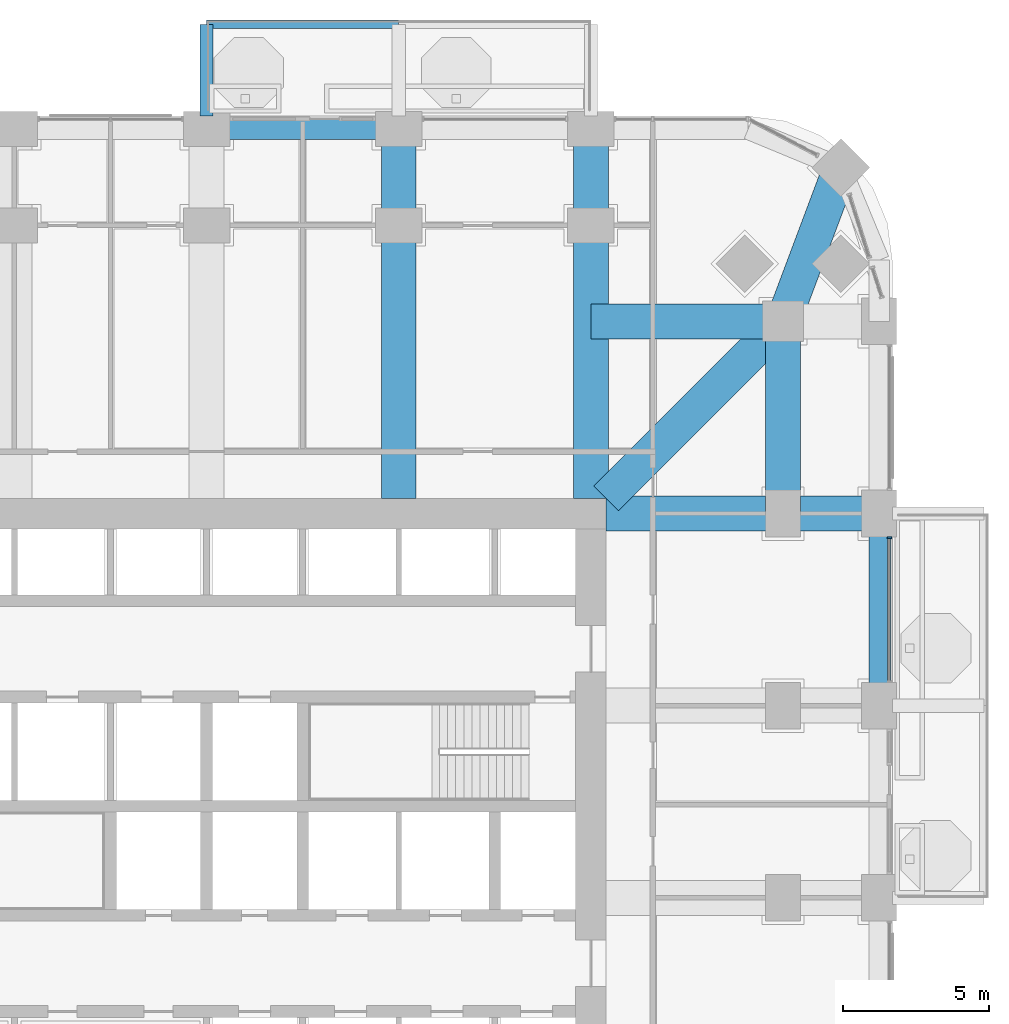
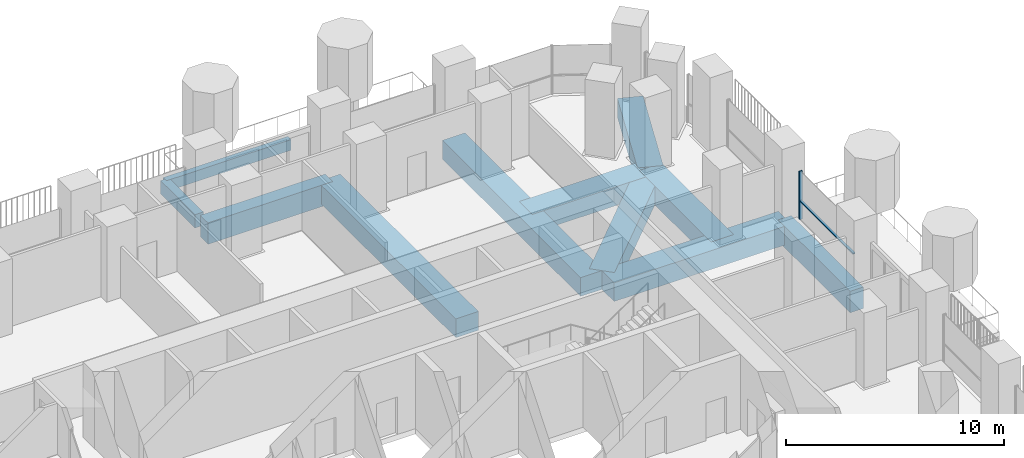
# One storey, part 7 of 21: 11 beams, 2 members, 1 element without a shape of its own.
"""IFC4 building model written with IfcOpenShell, lengths in metres."""

import ifcopenshell
import ifcopenshell.guid

model = None  # the IFC model being written
_history = None  # IfcOwnerHistory: only IFC2X3 demands one
_inside = {}  # id of a spatial element -> (the spatial element, [elements in it])
_under = {}  # id of a project, library or spatial element -> (it, [spatial elements below it])
_declared = {}  # id of a project -> (the project, [libraries it declares])
_typed = {}  # id of a type object -> (the type object, [elements of that type])
_made_of = {}  # id of a material, layer set ... -> (it, [elements and type objects made of it])


def new_model(schema):
    """Start an empty IFC model of exactly this schema.

    Asked for "IFC4X3", IfcOpenShell would pick the latest addendum, in which some entities
    have other attributes; the version numbers below select the first issue.
    IFC2X3 requires an IfcOwnerHistory on every rooted entity: one is made here for all.
    """
    global model, _history
    if schema == "IFC4X3":
        model = ifcopenshell.file(schema_version=(4, 3, 0, 0))
    else:
        model = ifcopenshell.file(schema=schema)
    _inside.clear()
    _under.clear()
    _declared.clear()
    _typed.clear()
    _made_of.clear()
    _history = None
    if model.schema == "IFC2X3":
        org = make("IfcOrganization", Name="unknown")
        user = make(
            "IfcPersonAndOrganization",
            ThePerson=make("IfcPerson", FamilyName="unknown"),
            TheOrganization=org,
        )
        app = make(
            "IfcApplication",
            ApplicationDeveloper=org,
            Version="unknown",
            ApplicationFullName="unknown",
            ApplicationIdentifier="unknown",
        )
        _history = make(
            "IfcOwnerHistory",
            OwningUser=user,
            OwningApplication=app,
            ChangeAction="ADDED",
            CreationDate=0,
        )
    return model


def make(cls, **values):
    """One entity of the class cls with the attributes given. An attribute that is None is left unset."""
    return model.create_entity(
        cls, **{name: value for name, value in values.items() if value is not None}
    )


def rooted(cls, **values):
    """An entity with a GlobalId (a new one), such as an element, a storey or a relation."""
    return make(cls, GlobalId=ifcopenshell.guid.new(), OwnerHistory=_history, **values)


def si_unit(unit_type, name, prefix=None):
    """IfcSIUnit, for example si_unit("LENGTHUNIT", "METRE", prefix="MILLI")."""
    return make("IfcSIUnit", UnitType=unit_type, Prefix=prefix, Name=name)


def assignment(units):
    """IfcUnitAssignment: the units of a project."""
    return None if units is None else make("IfcUnitAssignment", Units=units)


def point(xyz):
    """IfcCartesianPoint."""
    return None if xyz is None else make("IfcCartesianPoint", Coordinates=xyz)


def direction(xyz):
    """IfcDirection."""
    return None if xyz is None else make("IfcDirection", DirectionRatios=xyz)


def frame(location, z_axis=None, x_axis=None):
    """IfcAxis2Placement3D, a coordinate frame: its origin and axes. An axis left out is left unset."""
    return make(
        "IfcAxis2Placement3D",
        Location=point(location),
        Axis=direction(z_axis),
        RefDirection=direction(x_axis),
    )


def frame_2d(location, x_axis=None):
    """IfcAxis2Placement2D, a coordinate frame in the plane: its origin and x axis."""
    return make(
        "IfcAxis2Placement2D", Location=point(location), RefDirection=direction(x_axis)
    )


def origin():
    """The frame at (0, 0, 0) with its axes left unset."""
    return frame((0.0, 0.0, 0.0))


def origin_2d():
    """The frame at (0, 0) in the plane with its x axis left unset."""
    return frame_2d((0.0, 0.0))


def place(relative_to, where):
    """IfcLocalPlacement: puts the frame where relative to a parent placement (None: the world)."""
    return make(
        "IfcLocalPlacement", PlacementRelTo=relative_to, RelativePlacement=where
    )


def context(
    kind, dimensions, precision=None, world=None, true_north=None, identifier=None
):
    """IfcGeometricRepresentationContext, for example the 3D "Model" context."""
    return make(
        "IfcGeometricRepresentationContext",
        ContextIdentifier=identifier,
        ContextType=kind,
        CoordinateSpaceDimension=dimensions,
        Precision=precision,
        WorldCoordinateSystem=world,
        TrueNorth=true_north,
    )


def subcontext(parent, identifier, kind, view, scale=None):
    """IfcGeometricRepresentationSubContext, for example "Body" below "Model"."""
    return make(
        "IfcGeometricRepresentationSubContext",
        ContextIdentifier=identifier,
        ContextType=kind,
        ParentContext=parent,
        TargetScale=scale,
        TargetView=view,
    )


def project(units=None, contexts=None):
    """IfcProject with its units and contexts."""
    return rooted(
        "IfcProject",
        Name="project",
        RepresentationContexts=contexts,
        UnitsInContext=assignment(units),
    )


def spatial(cls, under=None, at=None, **own):
    """A site, building, storey or space (cls), placed at a placement, below another one or the project."""
    s = rooted(cls, ObjectPlacement=at, **own)
    if under is not None:
        _under.setdefault(under.id(), (under, []))[1].append(s)
    return s


def profile(cls, at=None, kind="AREA", **sizes):
    """A parametric profile (cls). Its sizes go by their IFC names, for example OverallWidth=200.0."""
    return make(cls, ProfileType=kind, Position=at, **sizes)


def rectangle(**sizes):
    """IfcRectangleProfileDef."""
    return profile("IfcRectangleProfileDef", **sizes)


def extrude(swept, where, along, depth):
    """IfcExtrudedAreaSolid: the profile swept, set in the frame where, extruded along a direction by depth."""
    return make(
        "IfcExtrudedAreaSolid",
        SweptArea=swept,
        Position=where,
        ExtrudedDirection=direction(along),
        Depth=depth,
    )


def shape(context_of_items, identifier, shape_type, items):
    """IfcShapeRepresentation: the items that make up one representation, for example the "Body"."""
    return make(
        "IfcShapeRepresentation",
        ContextOfItems=context_of_items,
        RepresentationIdentifier=identifier,
        RepresentationType=shape_type,
        Items=items,
    )


def material(Name=None, Category=None):
    """IfcMaterial."""
    return make("IfcMaterial", Name=Name, Category=Category)


def material_profile(
    of_material, cross_section, Name=None, Category=None, Priority=None
):
    """IfcMaterialProfile: a cross section and its material."""
    return make(
        "IfcMaterialProfile",
        Name=Name,
        Material=of_material,
        Profile=cross_section,
        Priority=Priority,
        Category=Category,
    )


def profile_set(profiles, Name=None, composite=None):
    """IfcMaterialProfileSet."""
    return make(
        "IfcMaterialProfileSet",
        Name=Name,
        MaterialProfiles=profiles,
        CompositeProfile=composite,
    )


def made_of(thing, what):
    """Note that an element or type object is made of a material, layer set ...; save() writes the relation."""
    if what is not None:
        _made_of.setdefault(what.id(), (what, []))[1].append(thing)
    return thing


def type_object(cls, material=None, **own):
    """A type object (cls), such as IfcWallType, which elements share."""
    return made_of(rooted(cls, **own), material)


def element(
    cls,
    number,
    at=None,
    inside=None,
    cuts=None,
    type_object=None,
    material=None,
    context=None,
    identifier="Body",
    shape_type=None,
    held_by="IfcProductDefinitionShape",
    body=None,
    shapes=None,
    **own,
):
    """One element of the class cls, such as IfcWall. Its Tag is "e" and its number.

    at: its placement. inside: the storey or other place that contains it. cuts: it is an
    opening in that element (IfcRelVoidsElement). A single representation is given by context,
    identifier, shape_type and body (its items); several are given by shapes. held_by: the class
    of the entity that holds the representations. save() writes the other relations.
    """
    e = rooted(cls, Tag="e%d" % number, ObjectPlacement=at, **own)
    if body is not None:
        shapes = [shape(context, identifier, shape_type, body)]
    if shapes is not None:
        e.Representation = make(held_by, Representations=shapes)
    if inside is not None:
        _inside.setdefault(inside.id(), (inside, []))[1].append(e)
    if cuts is not None:
        rooted(
            "IfcRelVoidsElement", RelatingBuildingElement=cuts, RelatedOpeningElement=e
        )
    if type_object is not None:
        _typed.setdefault(type_object.id(), (type_object, []))[1].append(e)
    return made_of(e, material)


def aggregate(whole, parts):
    """IfcRelAggregates: a whole, such as a stair, and the parts it consists of."""
    return rooted("IfcRelAggregates", RelatingObject=whole, RelatedObjects=parts)


def save(model, path):
    """Write the relations noted so far, then the file.

    IfcRelAggregates (storeys below a building ...), IfcRelContainedInSpatialStructure (elements
    in a storey), IfcRelDefinesByType, IfcRelAssociatesMaterial and IfcRelDeclares: one each for
    every whole, place, type object, material and project.
    """
    for whole, parts in _under.values():
        aggregate(whole, parts)
    for where, things in _inside.values():
        rooted(
            "IfcRelContainedInSpatialStructure",
            RelatedElements=things,
            RelatingStructure=where,
        )
    for kind, things in _typed.values():
        rooted("IfcRelDefinesByType", RelatedObjects=things, RelatingType=kind)
    for what, things in _made_of.values():
        rooted("IfcRelAssociatesMaterial", RelatedObjects=things, RelatingMaterial=what)
    for by, libraries in _declared.values():
        rooted("IfcRelDeclares", RelatingContext=by, RelatedDefinitions=libraries)
    model.write(path)


model = new_model("IFC4")

# Units and contexts
model_context = context("Model", 3, precision=1e-05, world=origin(), true_north=direction((0.0, 1.0)))
body_context = subcontext(model_context, "Body", "Model", "MODEL_VIEW")
ifc_project = project(units=[si_unit("LENGTHUNIT", "METRE"), si_unit("AREAUNIT", "SQUARE_METRE"), si_unit("VOLUMEUNIT", "CUBIC_METRE"), si_unit("PLANEANGLEUNIT", "RADIAN"), si_unit("MASSUNIT", "GRAM", prefix="KILO")], contexts=[model_context])

# Site, building, storey
site_placement = place(None, origin())
site = spatial("IfcSite", under=ifc_project, at=site_placement, CompositionType="ELEMENT")
building_placement = place(site_placement, origin())
building = spatial("IfcBuilding", under=site, at=building_placement, Name="Cobogo Forest Laboratory Tower", CompositionType="ELEMENT")
storey_placement = place(building_placement, frame((0.0, 0.0, 86.39990234375)))
storey = spatial("IfcBuildingStorey", under=building, at=storey_placement, Name="L19", CompositionType="ELEMENT", Elevation=86.39990234375)

# Beams
ifc_material_1 = material(Name="Concrete HA-40 (C40/50)", Category="concrete")
ifc_material_profile_1 = material_profile(ifc_material_1, rectangle(XDim=0.449951171875, YDim=0.75, at=origin_2d()), Name="RC 450x750")
ifc_profile_set_1 = profile_set([ifc_material_profile_1], Name="Concrete HA-40 (C40/50)")
beam_type_1 = type_object("IfcBeamType", Name="Balcony cantilever beam 450x750", PredefinedType="BEAM", material=ifc_profile_set_1)
beam_1_placement = place(storey_placement, frame((26.39990234375, 46.64990234375, -0.625), z_axis=(0.0, 1.0, 0.0), x_axis=(-1.0, 0.0, 0.0)))
element("IfcBeam", 1, at=beam_1_placement, inside=storey, type_object=beam_type_1, Name="CB1 BAL-N1-C1 L19", PredefinedType="BEAM", context=body_context, shape_type="SweptSolid", body=[
    extrude(rectangle(XDim=0.449951171875, YDim=0.75, at=origin_2d()), origin(), (0.0, 0.0, 1.0), 3.150146484375),
])
ifc_material_profile_2 = material_profile(ifc_material_1, rectangle(XDim=0.300048828125, YDim=0.60009765625, at=origin_2d()), Name="RC 300x600")
ifc_profile_set_2 = profile_set([ifc_material_profile_2], Name="Concrete HA-40 (C40/50)")
beam_type_2 = type_object("IfcBeamType", Name="Balcony edge beam 300x600", PredefinedType="BEAM", material=ifc_profile_set_2)
beam_2_placement = place(storey_placement, frame((26.39990234375, 49.800048828125, -0.5498046875), z_axis=(1.0, 0.0, 0.0), x_axis=(0.0, 1.0, 0.0)))
element("IfcBeam", 2, at=beam_2_placement, inside=storey, type_object=beam_type_2, Name="BB1 BAL-N1-T1 L19", PredefinedType="BEAM", context=body_context, shape_type="SweptSolid", body=[
    extrude(rectangle(XDim=0.300048828125, YDim=0.60009765625, at=origin_2d()), origin(), (0.0, 0.0, 1.0), 6.60009765625),
])
ifc_material_profile_3 = material_profile(ifc_material_1, rectangle(XDim=1.199951171875, YDim=1.050048828125, at=origin_2d()), Name="RC 1200x1050")
ifc_profile_set_3 = profile_set([ifc_material_profile_3], Name="Concrete HA-40 (C40/50)")
beam_type_3 = type_object("IfcBeamType", Name="Laboratory floor wide beam 1200x1050", PredefinedType="BEAM", material=ifc_profile_set_3)
for number, where, z_axis, x_axis, name in (
    (3, (33.0, 33.52490234375, -0.824951171875), (0.0, 1.0, 0.0), (-1.0, 0.0, 0.0), "RB1 R-6-N L19"),
    (4, (39.60009765625, 33.52490234375, -0.824951171875), (0.0, 1.0, 0.0), (-1.0, 0.0, 0.0), "RB1 R-7-N L19"),
):
    element("IfcBeam", number, at=place(storey_placement, frame(where, z_axis=z_axis, x_axis=x_axis)), inside=storey, type_object=beam_type_3, Name=name, PredefinedType="BEAM", context=body_context, shape_type="SweptSolid", body=[
        extrude(rectangle(XDim=1.199951171875, YDim=1.050048828125, at=origin_2d()), origin(), (0.0, 0.0, 1.0), 12.675048828125),
    ])
beam_3_placement = place(storey_placement, frame((40.125, 33.0, -0.824951171875), z_axis=(1.0, 0.0, 0.0), x_axis=(0.0, 1.0, 0.0)))
element("IfcBeam", 5, at=beam_3_placement, inside=storey, type_object=beam_type_3, Name="RB1 R-F-E L19", PredefinedType="BEAM", context=body_context, shape_type="SweptSolid", body=[
    extrude(rectangle(XDim=1.199951171875, YDim=1.050048828125, at=origin_2d()), origin(), (0.0, 0.0, 1.0), 9.375),
])
beam_4_placement = place(storey_placement, frame((46.199951171875, 39.60009765625, -0.824951171875), z_axis=(0.0, -1.0, 0.0), x_axis=(1.0, 0.0, 0.0)))
element("IfcBeam", 6, at=beam_4_placement, inside=storey, type_object=beam_type_3, Name="RB1 G-NE-XC L19", PredefinedType="BEAM", context=body_context, shape_type="SweptSolid", body=[
    extrude(rectangle(XDim=1.199951171875, YDim=1.050048828125, at=origin_2d()), origin(), (0.0, 0.0, 1.0), 6.60009765625),
])
beam_5_placement = place(storey_placement, frame((46.199951171875, 39.60009765625, -0.824951171875), z_axis=(-1.0, 0.0, 0.0), x_axis=(0.0, -1.0, 0.0)))
element("IfcBeam", 7, at=beam_5_placement, inside=storey, type_object=beam_type_3, Name="RB1 G-NE-YC L19", PredefinedType="BEAM", context=body_context, shape_type="SweptSolid", body=[
    extrude(rectangle(XDim=1.199951171875, YDim=1.050048828125, at=origin_2d()), origin(), (0.0, 0.0, 1.0), 6.599853515625),
])
beam_6_placement = place(storey_placement, frame((48.181884765625, 44.882080078125, -0.824951171875), z_axis=(-0.351308391925, -0.936259800356, 0.0), x_axis=(0.936259800356, -0.351308391925, 0.0)))
element("IfcBeam", 8, at=beam_6_placement, inside=storey, type_object=beam_type_3, Name="RB1 G-NE-D1 L19", PredefinedType="BEAM", context=body_context, shape_type="SweptSolid", body=[
    extrude(rectangle(XDim=1.199951171875, YDim=1.050048828125, at=origin_2d()), origin(), (0.0, 0.0, 1.0), 5.6416015625),
])
beam_7_placement = place(storey_placement, frame((46.199951171875, 39.60009765625, -0.824951171875), z_axis=(-0.707092572697, -0.70712098939, 0.0), x_axis=(0.70712098939, -0.707092572697, 0.0)))
element("IfcBeam", 9, at=beam_7_placement, inside=storey, type_object=beam_type_3, Name="RB1 G-NE-D2 L19", PredefinedType="BEAM", context=body_context, shape_type="SweptSolid", body=[
    extrude(rectangle(XDim=1.199951171875, YDim=1.050048828125, at=origin_2d()), origin(), (0.0, 0.0, 1.0), 8.591552734375),
])

# Curtain wall, member
ifc_material_2 = material(Name="Aluminium curtain wall", Category="aluminium")
curtain_wall_type = type_object("IfcCurtainWallType", Name="CW-1 unitised curtain wall, clear glazing, laboratory floors zones A and B", PredefinedType="USERDEFINED", material=ifc_material_2)
curtain_wall_placement = place(storey_placement, origin())
curtain_wall = element("IfcCurtainWall", 10, at=curtain_wall_placement, inside=storey, type_object=curtain_wall_type, Name="Curtain wall 13 L19", ObjectType="UNITISED CURTAIN WALL", PredefinedType="USERDEFINED")
ifc_material_3 = material(Name="Aluminium mullion", Category="aluminium")
ifc_material_profile_4 = material_profile(ifc_material_3, rectangle(XDim=0.06005859375, YDim=0.159912109375, at=origin_2d()), Name="AL 60x160")
ifc_profile_set_4 = profile_set([ifc_material_profile_4], Name="Aluminium mullion")
member_type_1 = type_object("IfcMemberType", Name="MU-1 aluminium mullion 60x160", PredefinedType="MULLION", material=ifc_profile_set_4)
member_1_placement = place(storey_placement, frame((49.85009765625, 32.169921875, 0.0), z_axis=(0.0, 0.0, 1.0), x_axis=(0.0, 1.0, 0.0)))
member_1 = element("IfcMember", 11, at=member_1_placement, type_object=member_type_1, Name="CW-1 mullion 2", PredefinedType="MULLION", context=body_context, shape_type="SweptSolid", body=[
    extrude(rectangle(XDim=0.06005859375, YDim=0.159912109375, at=origin_2d()), origin(), (0.0, 0.0, 1.0), 2.7001953125),
])

# Beams
ifc_material_profile_5 = material_profile(ifc_material_1, rectangle(XDim=0.699951171875, YDim=1.199951171875, at=origin_2d()), Name="RC 700x1200")
ifc_profile_set_5 = profile_set([ifc_material_profile_5], Name="Concrete HA-40 (C40/50)")
beam_type_4 = type_object("IfcBeamType", Name="Perimeter edge beam 700x1200", PredefinedType="BEAM", material=ifc_profile_set_5)
for number, where, z_axis, x_axis, name in (
    (12, (49.5, 26.39990234375, -0.89990234375), (0.0, 1.0, 0.0), (-1.0, 0.0, 0.0), "EB1 E-E4 L19"),
    (13, (26.39990234375, 46.199951171875, -0.89990234375), (1.0, 0.0, 0.0), (0.0, 1.0, 0.0), "EB1 E-N3 L19"),
):
    element("IfcBeam", number, at=place(storey_placement, frame(where, z_axis=z_axis, x_axis=x_axis)), inside=storey, type_object=beam_type_4, Name=name, PredefinedType="BEAM", context=body_context, shape_type="SweptSolid", body=[
        extrude(rectangle(XDim=0.699951171875, YDim=1.199951171875, at=origin_2d()), origin(), (0.0, 0.0, 1.0), 6.60009765625),
    ])

# Member
ifc_material_4 = material(Name="Aluminium transom", Category="aluminium")
ifc_material_profile_6 = material_profile(ifc_material_4, rectangle(XDim=0.1201171875, YDim=0.06005859375, at=origin_2d()), Name="AL 60x120")
ifc_profile_set_6 = profile_set([ifc_material_profile_6], Name="Aluminium transom")
member_type_2 = type_object("IfcMemberType", Name="TR-1 aluminium transom 60x120", PredefinedType="USERDEFINED", material=ifc_profile_set_6)
member_2_placement = place(storey_placement, frame((49.85009765625, 27.260009765625, 1.050048828125), z_axis=(0.0, 1.0, 0.0), x_axis=(-1.0, 0.0, 0.0)))
member_2 = element("IfcMember", 14, at=member_2_placement, type_object=member_type_2, Name="CW-1 transom 1.1", ObjectType="TRANSOM", PredefinedType="USERDEFINED", context=body_context, shape_type="SweptSolid", body=[
    extrude(rectangle(XDim=0.1201171875, YDim=0.06005859375, at=origin_2d()), origin(), (0.0, 0.0, 1.0), 4.8798828125),
])

aggregate(curtain_wall, [member_1, member_2])

save(model, "model.ifc")
